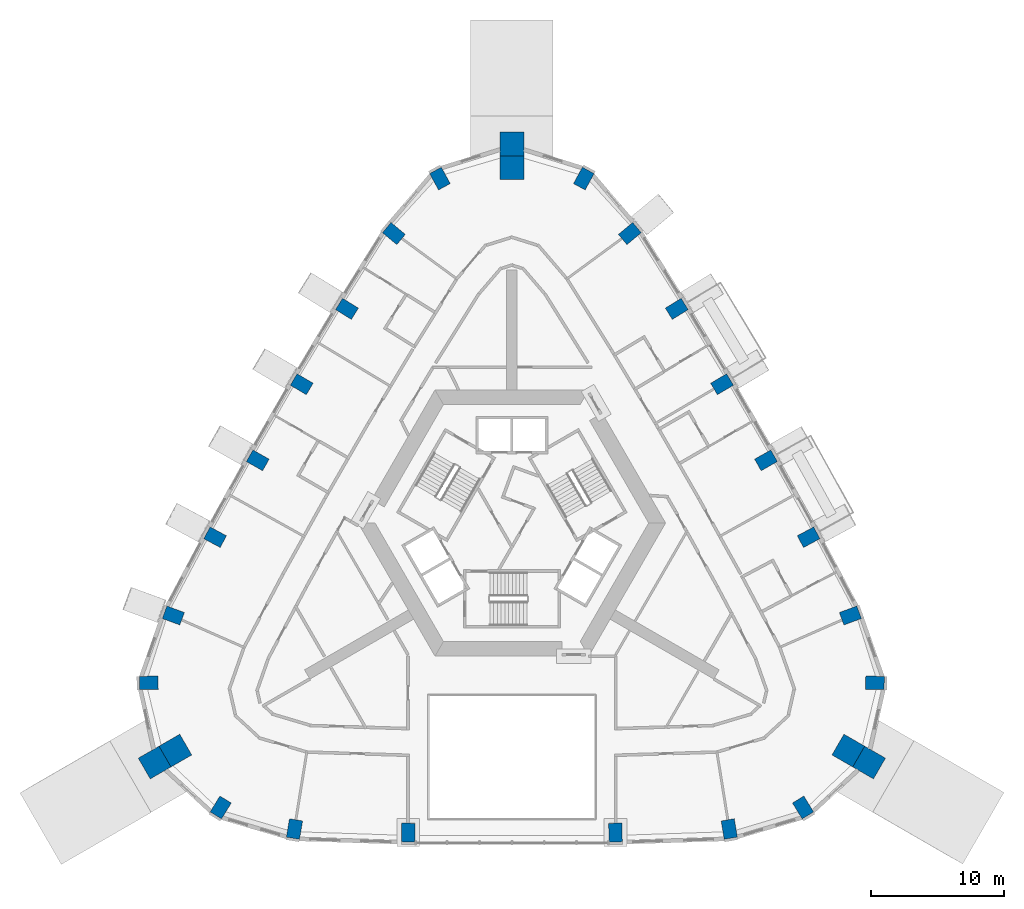
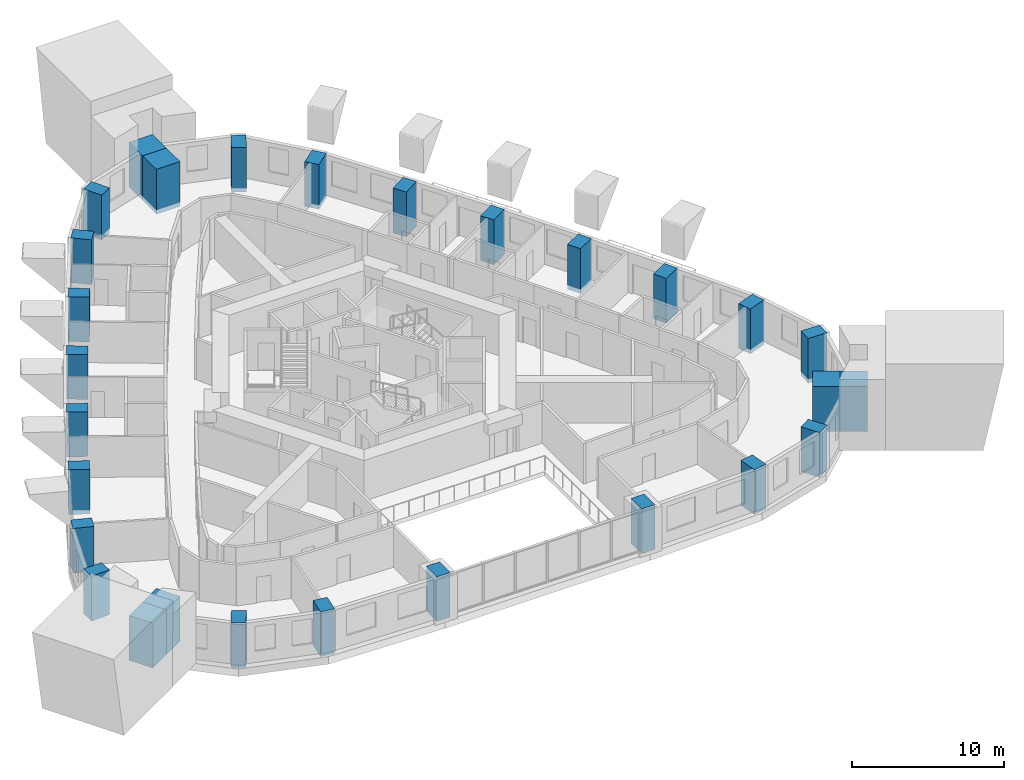
# One storey, part 1 of 12: 28 columns.
"""IFC4 building model written with IfcOpenShell, lengths in metres."""

from ifc_helpers import new_model, si_unit, direction, frame, origin, origin_2d, place, context, subcontext, project, spatial, rectangle, extrude, material, material_profile, profile_set, type_object, element, save


model = new_model("IFC4")

# Units and contexts
model_context = context("Model", 3, precision=1e-05, world=origin(), true_north=direction((0.0, 1.0)))
body_context = subcontext(model_context, "Body", "Model", "MODEL_VIEW")
ifc_project = project(units=[si_unit("LENGTHUNIT", "METRE"), si_unit("AREAUNIT", "SQUARE_METRE"), si_unit("VOLUMEUNIT", "CUBIC_METRE"), si_unit("PLANEANGLEUNIT", "RADIAN"), si_unit("MASSUNIT", "GRAM", prefix="KILO")], contexts=[model_context])

# Site, building, storey
site_placement = place(None, origin())
site = spatial("IfcSite", under=ifc_project, at=site_placement, CompositionType="ELEMENT")
building_placement = place(site_placement, origin())
building = spatial("IfcBuilding", under=site, at=building_placement, Name="Entoto Arch Interchange Tower", CompositionType="ELEMENT")
storey_placement = place(building_placement, frame((0.0, 0.0, 273.800048828125)))
storey = spatial("IfcBuildingStorey", under=building, at=storey_placement, Name="L63", CompositionType="ELEMENT", Elevation=273.800048828125)

# Columns
ifc_material_1 = material(Name="Concrete C40/50", Category="concrete")
ifc_material_profile_1 = material_profile(ifc_material_1, rectangle(XDim=1.0, YDim=1.39990234375, at=origin_2d()))
ifc_profile_set_1 = profile_set([ifc_material_profile_1], Name="Concrete C40/50")
column_type_1 = type_object("IfcColumnType", Name="Column RC 1000x1400 C40/50", PredefinedType="COLUMN", material=ifc_profile_set_1)
for number, where, z_axis, x_axis, name in (
    (1, (-16.330078125, -20.487060546875, -0.340087890625), (0.0, 0.0, 1.0), (-0.985952343326, 0.167026874157, 0.0), "Column S01 L63"),
    (2, (-7.783935546875, -20.75, -0.340087890625), (0.0, 0.0, 1.0), (-0.999832723398, 0.018290030661, 0.0), "Column S02 L63"),
    (3, (7.783935546875, -20.75, -0.340087890625), (0.0, 0.0, 1.0), (0.999832723398, 0.018290030661, 0.0), "Column S03 L63"),
    (4, (16.330078125, -20.487060546875, -0.340087890625), (0.0, 0.0, 1.0), (0.985952343326, 0.167026874157, 0.0), "Column S04 L63"),
    (5, (21.87109375, -18.866943359375, -0.340087890625), (0.0, 0.0, 1.0), (0.853341581839, 0.521352227103, 0.0), "Column SE1 L63"),
    (6, (27.27392578125, -9.507080078125, -0.340087890625), (0.0, 0.0, 1.0), (0.024833482072, 0.999691601529, 0.0), "Column SE3 L63"),
    (7, (25.428955078125, -4.447998046875, -0.340087890625), (0.0, 0.0, 1.0), (-0.346853804003, 0.937919206888, 0.0), "Column NE01 L63"),
    (8, (22.2919921875, 1.43310546875, -0.340087890625), (0.0, 0.0, 1.0), (-0.473980634908, 0.880535267739, 0.0), "Column NE02 L63"),
    (9, (19.089111328125, 7.2080078125, -0.340087890625), (0.0, 0.0, 1.0), (-0.491375053773, 0.870948079124, 0.0), "Column NE03 L63"),
    (10, (15.787109375, 12.927001953125, -0.340087890625), (0.0, 0.0, 1.0), (-0.508575635012, 0.861017318916, 0.0), "Column NE04 L63"),
    (11, (12.386962890625, 18.587890625, -0.340087890625), (0.0, 0.0, 1.0), (-0.525575593337, 0.850746904601, 0.0), "Column NE05 L63"),
    (12, (8.862060546875, 24.24609375, -0.340087890625), (0.0, 0.0, 1.0), (-0.638834957861, 0.769343809109, 0.0), "Column NE06 L63"),
    (13, (5.403076171875, 28.3740234375, -0.340087890625), (0.0, 0.0, 1.0), (-0.87817506391, 0.478339374426, 0.0), "Column N1 L63"),
    (14, (-5.403076171875, 28.3740234375, -0.340087890625), (0.0, 0.0, 1.0), (0.87817506391, 0.478339374426, 0.0), "Column N3 L63"),
    (15, (-8.862060546875, 24.24609375, -0.340087890625), (0.0, 0.0, 1.0), (0.638834957861, 0.769343809109, 0.0), "Column NW01 L63"),
    (16, (-12.386962890625, 18.587890625, -0.340087890625), (0.0, 0.0, 1.0), (0.525575593337, 0.850746904601, 0.0), "Column NW02 L63"),
    (17, (-15.787109375, 12.927001953125, -0.340087890625), (0.0, 0.0, 1.0), (0.508575635012, 0.861017318916, 0.0), "Column NW03 L63"),
    (18, (-19.089111328125, 7.2080078125, -0.340087890625), (0.0, 0.0, 1.0), (0.491375053773, 0.870948079124, 0.0), "Column NW04 L63"),
    (19, (-22.2919921875, 1.43310546875, -0.340087890625), (0.0, 0.0, 1.0), (0.473980634908, 0.880535267739, 0.0), "Column NW05 L63"),
    (20, (-25.428955078125, -4.447998046875, -0.340087890625), (0.0, 0.0, 1.0), (0.346853804003, 0.937919206888, 0.0), "Column NW06 L63"),
    (21, (-27.27392578125, -9.507080078125, -0.340087890625), (0.0, 0.0, 1.0), (-0.024833482072, 0.999691601529, 0.0), "Column SW1 L63"),
    (22, (-21.87109375, -18.866943359375, -0.340087890625), (0.0, 0.0, 1.0), (-0.853341581839, 0.521352227103, 0.0), "Column SW3 L63"),
):
    element("IfcColumn", number, at=place(storey_placement, frame(where, z_axis=z_axis, x_axis=x_axis)), inside=storey, type_object=column_type_1, Name=name, PredefinedType="COLUMN", context=body_context, shape_type="SweptSolid", body=[
        extrude(rectangle(XDim=1.0, YDim=1.39990234375, at=origin_2d()), origin(), (0.0, 0.0, 1.0), 3.60009765625),
    ])
ifc_material_2 = material(Name="Precast concrete C40/50", Category="concrete")
ifc_material_profile_2 = material_profile(ifc_material_2, rectangle(XDim=1.800048828125, YDim=1.800048828125, at=origin_2d()))
ifc_profile_set_2 = profile_set([ifc_material_profile_2], Name="Precast concrete C40/50")
column_type_2 = type_object("IfcColumnType", Name="Frame post RC 1800x1800 precast C40/50", PredefinedType="COLUMN", material=ifc_profile_set_2)
for number, where, z_axis, x_axis, name in (
    (23, (26.8359375, -15.493896484375, -0.340087890625), (0.0, 0.0, 1.0), (-0.866025403784, 0.5, 0.0), "Frame post SE L63"),
    (24, (0.0, 30.988037109375, -0.340087890625), (0.0, 0.0, 1.0), (0.0, 1.0, 0.0), "Frame post N L63"),
    (25, (-26.8359375, -15.493896484375, -0.340087890625), (0.0, 0.0, 1.0), (0.866025403784, 0.5, 0.0), "Frame post SW L63"),
):
    element("IfcColumn", number, at=place(storey_placement, frame(where, z_axis=z_axis, x_axis=x_axis)), inside=storey, type_object=column_type_2, Name=name, PredefinedType="COLUMN", context=body_context, shape_type="SweptSolid", body=[
        extrude(rectangle(XDim=1.800048828125, YDim=1.800048828125, at=origin_2d()), origin(), (0.0, 0.0, 1.0), 3.60009765625),
    ])
ifc_material_profile_3 = material_profile(ifc_material_1, rectangle(XDim=1.800048828125, YDim=1.800048828125, at=origin_2d()))
ifc_profile_set_3 = profile_set([ifc_material_profile_3], Name="Concrete C40/50")
column_type_3 = type_object("IfcColumnType", Name="Mega column RC 1800x1800 C40/50", PredefinedType="COLUMN", material=ifc_profile_set_3)
for number, where, z_axis, x_axis, name in (
    (26, (25.277099609375, -14.593994140625, -0.340087890625), (0.0, 0.0, 1.0), (-0.866025403784, 0.5, 0.0), "Corner mega column SE2 L63"),
    (27, (0.0, 29.18798828125, -0.340087890625), (0.0, 0.0, 1.0), (0.0, 1.0, 0.0), "Corner mega column N2 L63"),
    (28, (-25.277099609375, -14.593994140625, -0.340087890625), (0.0, 0.0, 1.0), (0.866025403784, 0.5, 0.0), "Corner mega column SW2 L63"),
):
    element("IfcColumn", number, at=place(storey_placement, frame(where, z_axis=z_axis, x_axis=x_axis)), inside=storey, type_object=column_type_3, Name=name, PredefinedType="COLUMN", context=body_context, shape_type="SweptSolid", body=[
        extrude(rectangle(XDim=1.800048828125, YDim=1.800048828125, at=origin_2d()), origin(), (0.0, 0.0, 1.0), 3.60009765625),
    ])

save(model, "model.ifc")
